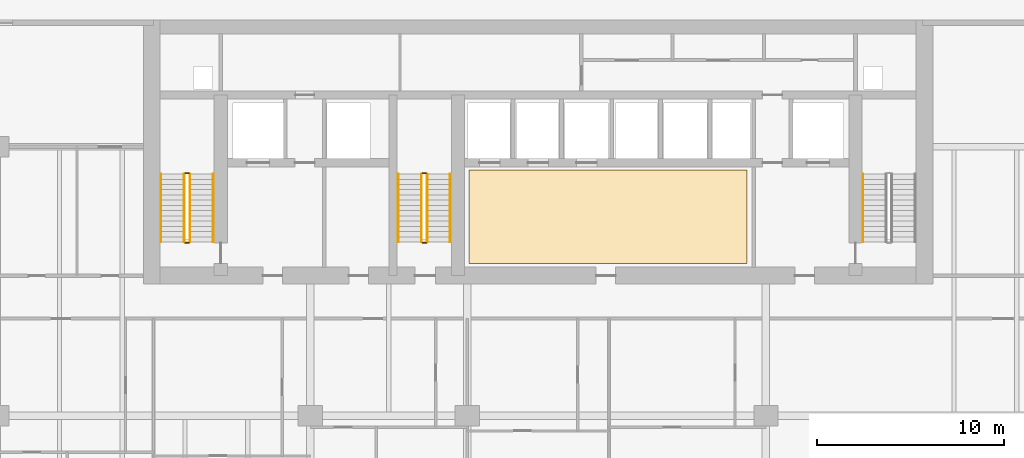
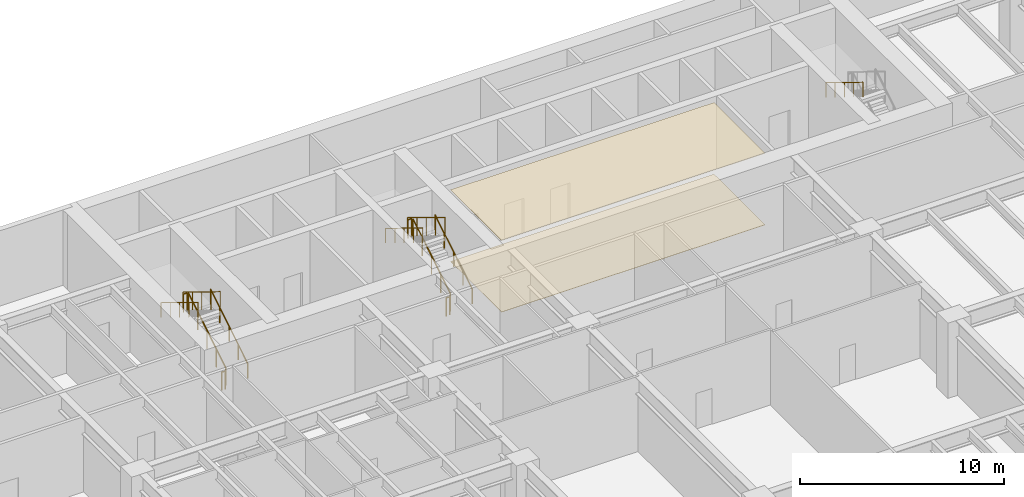
# One storey, part 13 of 14: 13 railings, 2 coverings.
"""IFC4 building model written with IfcOpenShell, lengths in metres."""

from ifc_helpers import new_model, si_unit, direction, frame, origin, origin_2d, place, context, subcontext, project, spatial, polyline, circle, outline, extrude, material, layer, layer_set, type_object, element, save


model = new_model("IFC4")

# Units and contexts
model_context = context("Model", 3, precision=1e-05, world=origin(), true_north=direction((0.0, 1.0)))
body_context = subcontext(model_context, "Body", "Model", "MODEL_VIEW")
ifc_project = project(units=[si_unit("LENGTHUNIT", "METRE"), si_unit("AREAUNIT", "SQUARE_METRE"), si_unit("VOLUMEUNIT", "CUBIC_METRE"), si_unit("PLANEANGLEUNIT", "RADIAN"), si_unit("MASSUNIT", "GRAM", prefix="KILO")], contexts=[model_context])

# Site, building, storey
site_placement = place(None, origin())
site = spatial("IfcSite", under=ifc_project, at=site_placement, CompositionType="ELEMENT")
building_placement = place(site_placement, origin())
building = spatial("IfcBuilding", under=site, at=building_placement, Name="Caelmar Bay Residences", CompositionType="ELEMENT")
storey_placement = place(building_placement, frame((0.0, 0.0, 15.0)))
storey = spatial("IfcBuildingStorey", under=building, at=storey_placement, Name="L03", CompositionType="ELEMENT", Elevation=15.0)

# Coverings
ifc_material_1 = material(Name="Perforated acoustic gypsum-mineral ceiling tile 20 mm")
ifc_layer_1 = layer(ifc_material_1, 0.02001953125)
ifc_layer_set_1 = layer_set([ifc_layer_1], Name="Perforated acoustic gypsum-mineral ceiling tile 20 mm")
covering_type_1 = type_object("IfcCoveringType", Name="COV-CEIL-20", PredefinedType="CEILING", material=ifc_layer_set_1)
covering_1_placement = place(storey_placement, frame((0.0, 0.0, 4.280029296875)))
element("IfcCovering", 1, at=covering_1_placement, inside=storey, type_object=covering_type_1, Name="L03 Lift Lobby Acoustic Ceiling", PredefinedType="CEILING", context=body_context, shape_type="SweptSolid", body=[
    extrude(outline(polyline([(35.199951171875, 37.550048828125), (50.10009765625, 37.550048828125), (50.10009765625, 42.550048828125), (35.199951171875, 42.550048828125), (35.199951171875, 37.550048828125)])), origin(), (0.0, 0.0, 1.0), 0.02001953125),
])
ifc_material_2 = material(Name="Honed terrazzo and engineered white-oak flooring 20 mm")
ifc_layer_2 = layer(ifc_material_2, 0.02001953125)
ifc_layer_set_2 = layer_set([ifc_layer_2], Name="Honed terrazzo and engineered white-oak flooring 20 mm")
covering_type_2 = type_object("IfcCoveringType", Name="COV-FLR-20", PredefinedType="FLOORING", material=ifc_layer_set_2)
covering_2_placement = place(storey_placement, origin())
element("IfcCovering", 2, at=covering_2_placement, inside=storey, type_object=covering_type_2, Name="L03 Lift Lobby Terrazzo Flooring", PredefinedType="FLOORING", context=body_context, shape_type="SweptSolid", body=[
    extrude(outline(polyline([(35.199951171875, 37.550048828125), (50.10009765625, 37.550048828125), (50.10009765625, 42.550048828125), (35.199951171875, 42.550048828125), (35.199951171875, 37.550048828125)])), origin(), (0.0, 0.0, 1.0), 0.02001953125),
])

# Railings
ifc_material_3 = material(Name="Painted galvanized steel stair guard 1100 mm", Category="steel")
railing_type_1 = type_object("IfcRailingType", Name="RL-GRD-1100", PredefinedType="GUARDRAIL", material=ifc_material_3)
railing_1_placement = place(storey_placement, frame((20.25, 38.699951171875, 0.17138671875)))
element("IfcRailing", 3, at=railing_1_placement, inside=storey, type_object=railing_type_1, Name="L03 ST1 stair guard 1", PredefinedType="GUARDRAIL", context=body_context, shape_type="SweptSolid", body=[
    extrude(circle(Radius=0.02392578125, at=origin_2d()), frame((0.0, 0.0, 1.076171875), z_axis=(0.0, 0.852865859571, 0.52213008492), x_axis=(-1.0, 0.0, 0.0)), (0.0, 0.0, 1.0), 4.26806640625),
    extrude(circle(Radius=0.02099609375, at=origin_2d()), origin(), (0.0, 0.0, 1.0), 1.052001953125),
    extrude(circle(Radius=0.02099609375, at=origin_2d()), frame((0.0, 0.91015625, 0.55712890625)), (0.0, 0.0, 1.0), 1.052001953125),
    extrude(circle(Radius=0.02099609375, at=origin_2d()), frame((0.0, 1.820068359375, 1.1142578125)), (0.0, 0.0, 1.0), 1.052001953125),
    extrude(circle(Radius=0.02099609375, at=origin_2d()), frame((0.0, 2.72998046875, 1.67138671875)), (0.0, 0.0, 1.0), 1.052001953125),
    extrude(circle(Radius=0.02099609375, at=origin_2d()), frame((0.0, 3.64013671875, 2.228515625)), (0.0, 0.0, 1.0), 1.052001953125),
])
railing_2_placement = place(storey_placement, frame((20.199951171875, 42.389892578125, 2.39990234375)))
element("IfcRailing", 4, at=railing_2_placement, inside=storey, type_object=railing_type_1, Name="L03 ST1 stair guard 2", PredefinedType="GUARDRAIL", context=body_context, shape_type="SweptSolid", body=[
    extrude(circle(Radius=0.02392578125, at=origin_2d()), frame((0.0, 0.0, 1.076171875), z_axis=(-1.0, 0.0, 0.0), x_axis=(0.0, -1.0, 0.0)), (0.0, 0.0, 1.0), 0.199951171875),
    extrude(circle(Radius=0.02099609375, at=origin_2d()), origin(), (0.0, 0.0, 1.0), 1.052001953125),
    extrude(circle(Radius=0.02099609375, at=origin_2d()), frame((-0.199951171875, 0.0, 0.0)), (0.0, 0.0, 1.0), 1.052001953125),
])
railing_3_placement = place(storey_placement, frame((19.949951171875, 42.340087890625, 2.571533203125)))
element("IfcRailing", 5, at=railing_3_placement, inside=storey, type_object=railing_type_1, Name="L03 ST1 stair guard 3", PredefinedType="GUARDRAIL", context=body_context, shape_type="SweptSolid", body=[
    extrude(circle(Radius=0.02392578125, at=origin_2d()), frame((0.0, 0.0, 1.076171875), z_axis=(0.0, -0.852865859571, 0.52213008492), x_axis=(1.0, 0.0, 0.0)), (0.0, 0.0, 1.0), 4.26806640625),
    extrude(circle(Radius=0.02099609375, at=origin_2d()), origin(), (0.0, 0.0, 1.0), 1.052001953125),
    extrude(circle(Radius=0.02099609375, at=origin_2d()), frame((0.0, -0.91015625, 0.55712890625)), (0.0, 0.0, 1.0), 1.052001953125),
    extrude(circle(Radius=0.02099609375, at=origin_2d()), frame((0.0, -1.820068359375, 1.1142578125)), (0.0, 0.0, 1.0), 1.052001953125),
    extrude(circle(Radius=0.02099609375, at=origin_2d()), frame((0.0, -2.72998046875, 1.67138671875)), (0.0, 0.0, 1.0), 1.052001953125),
    extrude(circle(Radius=0.02099609375, at=origin_2d()), frame((0.0, -3.64013671875, 2.228515625)), (0.0, 0.0, 1.0), 1.052001953125),
])
railing_4_placement = place(storey_placement, frame((20.199951171875, 38.64990234375, 0.0)))
element("IfcRailing", 6, at=railing_4_placement, inside=storey, type_object=railing_type_1, Name="L03 ST1 stair guard 4", PredefinedType="GUARDRAIL", context=body_context, shape_type="SweptSolid", body=[
    extrude(circle(Radius=0.02392578125, at=origin_2d()), frame((0.0, 0.0, 1.076171875), z_axis=(-1.0, 0.0, 0.0), x_axis=(0.0, -1.0, 0.0)), (0.0, 0.0, 1.0), 0.199951171875),
    extrude(circle(Radius=0.02099609375, at=origin_2d()), origin(), (0.0, 0.0, 1.0), 1.052001953125),
    extrude(circle(Radius=0.02099609375, at=origin_2d()), frame((-0.199951171875, 0.0, 0.0)), (0.0, 0.0, 1.0), 1.052001953125),
])
railing_5_placement = place(storey_placement, frame((32.949951171875, 38.699951171875, 0.17138671875)))
element("IfcRailing", 7, at=railing_5_placement, inside=storey, type_object=railing_type_1, Name="L03 ST3 stair guard 1", PredefinedType="GUARDRAIL", context=body_context, shape_type="SweptSolid", body=[
    extrude(circle(Radius=0.02392578125, at=origin_2d()), frame((0.0, 0.0, 1.076171875), z_axis=(0.0, 0.852865859571, 0.52213008492), x_axis=(-1.0, 0.0, 0.0)), (0.0, 0.0, 1.0), 4.26806640625),
    extrude(circle(Radius=0.02099609375, at=origin_2d()), origin(), (0.0, 0.0, 1.0), 1.052001953125),
    extrude(circle(Radius=0.02099609375, at=origin_2d()), frame((0.0, 0.91015625, 0.55712890625)), (0.0, 0.0, 1.0), 1.052001953125),
    extrude(circle(Radius=0.02099609375, at=origin_2d()), frame((0.0, 1.820068359375, 1.1142578125)), (0.0, 0.0, 1.0), 1.052001953125),
    extrude(circle(Radius=0.02099609375, at=origin_2d()), frame((0.0, 2.72998046875, 1.67138671875)), (0.0, 0.0, 1.0), 1.052001953125),
    extrude(circle(Radius=0.02099609375, at=origin_2d()), frame((0.0, 3.64013671875, 2.228515625)), (0.0, 0.0, 1.0), 1.052001953125),
])
railing_6_placement = place(storey_placement, frame((32.89990234375, 42.389892578125, 2.39990234375)))
element("IfcRailing", 8, at=railing_6_placement, inside=storey, type_object=railing_type_1, Name="L03 ST3 stair guard 2", PredefinedType="GUARDRAIL", context=body_context, shape_type="SweptSolid", body=[
    extrude(circle(Radius=0.02392578125, at=origin_2d()), frame((0.0, 0.0, 1.076171875), z_axis=(-1.0, 0.0, 0.0), x_axis=(0.0, -1.0, 0.0)), (0.0, 0.0, 1.0), 0.199951171875),
    extrude(circle(Radius=0.02099609375, at=origin_2d()), origin(), (0.0, 0.0, 1.0), 1.052001953125),
    extrude(circle(Radius=0.02099609375, at=origin_2d()), frame((-0.199951171875, 0.0, 0.0)), (0.0, 0.0, 1.0), 1.052001953125),
])
railing_7_placement = place(storey_placement, frame((32.64990234375, 42.340087890625, 2.571533203125)))
element("IfcRailing", 9, at=railing_7_placement, inside=storey, type_object=railing_type_1, Name="L03 ST3 stair guard 3", PredefinedType="GUARDRAIL", context=body_context, shape_type="SweptSolid", body=[
    extrude(circle(Radius=0.02392578125, at=origin_2d()), frame((0.0, 0.0, 1.076171875), z_axis=(0.0, -0.852865859571, 0.52213008492), x_axis=(1.0, 0.0, 0.0)), (0.0, 0.0, 1.0), 4.26806640625),
    extrude(circle(Radius=0.02099609375, at=origin_2d()), origin(), (0.0, 0.0, 1.0), 1.052001953125),
    extrude(circle(Radius=0.02099609375, at=origin_2d()), frame((0.0, -0.91015625, 0.55712890625)), (0.0, 0.0, 1.0), 1.052001953125),
    extrude(circle(Radius=0.02099609375, at=origin_2d()), frame((0.0, -1.820068359375, 1.1142578125)), (0.0, 0.0, 1.0), 1.052001953125),
    extrude(circle(Radius=0.02099609375, at=origin_2d()), frame((0.0, -2.72998046875, 1.67138671875)), (0.0, 0.0, 1.0), 1.052001953125),
    extrude(circle(Radius=0.02099609375, at=origin_2d()), frame((0.0, -3.64013671875, 2.228515625)), (0.0, 0.0, 1.0), 1.052001953125),
])
railing_8_placement = place(storey_placement, frame((32.89990234375, 38.64990234375, 0.0)))
element("IfcRailing", 10, at=railing_8_placement, inside=storey, type_object=railing_type_1, Name="L03 ST3 stair guard 4", PredefinedType="GUARDRAIL", context=body_context, shape_type="SweptSolid", body=[
    extrude(circle(Radius=0.02392578125, at=origin_2d()), frame((0.0, 0.0, 1.076171875), z_axis=(-1.0, 0.0, 0.0), x_axis=(0.0, -1.0, 0.0)), (0.0, 0.0, 1.0), 0.199951171875),
    extrude(circle(Radius=0.02099609375, at=origin_2d()), origin(), (0.0, 0.0, 1.0), 1.052001953125),
    extrude(circle(Radius=0.02099609375, at=origin_2d()), frame((-0.199951171875, 0.0, 0.0)), (0.0, 0.0, 1.0), 1.052001953125),
])
ifc_material_4 = material(Name="Brushed bronze stainless-steel tubular handrail 900 mm", Category="steel")
railing_type_2 = type_object("IfcRailingType", Name="RL-HND-900", PredefinedType="HANDRAIL", material=ifc_material_4)
railing_9_placement = place(storey_placement, frame((21.5, 38.699951171875, 0.17138671875)))
element("IfcRailing", 11, at=railing_9_placement, inside=storey, type_object=railing_type_2, Name="L03 ST1 stair handrail 1", PredefinedType="HANDRAIL", context=body_context, shape_type="SweptSolid", body=[
    extrude(circle(Radius=0.02392578125, at=origin_2d()), frame((0.0, 0.0, 0.8759765625), z_axis=(0.0, 0.852865859571, 0.52213008492), x_axis=(-1.0, 0.0, 0.0)), (0.0, 0.0, 1.0), 4.26806640625),
    extrude(circle(Radius=0.02099609375, at=origin_2d()), origin(), (0.0, 0.0, 1.0), 0.851806640625),
    extrude(circle(Radius=0.02099609375, at=origin_2d()), frame((0.0, 0.91015625, 0.55712890625)), (0.0, 0.0, 1.0), 0.851806640625),
    extrude(circle(Radius=0.02099609375, at=origin_2d()), frame((0.0, 1.820068359375, 1.1142578125)), (0.0, 0.0, 1.0), 0.851806640625),
    extrude(circle(Radius=0.02099609375, at=origin_2d()), frame((0.0, 2.72998046875, 1.67138671875)), (0.0, 0.0, 1.0), 0.851806640625),
    extrude(circle(Radius=0.02099609375, at=origin_2d()), frame((0.0, 3.64013671875, 2.228515625)), (0.0, 0.0, 1.0), 0.851806640625),
])
for number, where, name in (
    (12, (18.699951171875, 42.340087890625, 2.571533203125), "L03 ST1 stair handrail 2"),
    (13, (56.300048828125, 42.340087890625, 2.571533203125), "L03 ST2 stair handrail 2"),
):
    element("IfcRailing", number, at=place(storey_placement, frame(where)), inside=storey, type_object=railing_type_2, Name=name, PredefinedType="HANDRAIL", context=body_context, shape_type="SweptSolid", body=[
        extrude(circle(Radius=0.02392578125, at=origin_2d()), frame((0.0, 0.0, 0.8759765625), z_axis=(0.0, -0.852865859571, 0.52213008492), x_axis=(1.0, 0.0, 0.0)), (0.0, 0.0, 1.0), 4.26806640625),
        extrude(circle(Radius=0.02099609375, at=origin_2d()), origin(), (0.0, 0.0, 1.0), 0.851806640625),
        extrude(circle(Radius=0.02099609375, at=origin_2d()), frame((0.0, -0.91015625, 0.55712890625)), (0.0, 0.0, 1.0), 0.851806640625),
        extrude(circle(Radius=0.02099609375, at=origin_2d()), frame((0.0, -1.820068359375, 1.1142578125)), (0.0, 0.0, 1.0), 0.851806640625),
        extrude(circle(Radius=0.02099609375, at=origin_2d()), frame((0.0, -2.72998046875, 1.67138671875)), (0.0, 0.0, 1.0), 0.851806640625),
        extrude(circle(Radius=0.02099609375, at=origin_2d()), frame((0.0, -3.64013671875, 2.228515625)), (0.0, 0.0, 1.0), 0.851806640625),
    ])
railing_10_placement = place(storey_placement, frame((34.199951171875, 38.699951171875, 0.17138671875)))
element("IfcRailing", 14, at=railing_10_placement, inside=storey, type_object=railing_type_2, Name="L03 ST3 stair handrail 1", PredefinedType="HANDRAIL", context=body_context, shape_type="SweptSolid", body=[
    extrude(circle(Radius=0.02392578125, at=origin_2d()), frame((0.0, 0.0, 0.8759765625), z_axis=(0.0, 0.852865859571, 0.52213008492), x_axis=(-1.0, 0.0, 0.0)), (0.0, 0.0, 1.0), 4.26806640625),
    extrude(circle(Radius=0.02099609375, at=origin_2d()), origin(), (0.0, 0.0, 1.0), 0.851806640625),
    extrude(circle(Radius=0.02099609375, at=origin_2d()), frame((0.0, 0.91015625, 0.55712890625)), (0.0, 0.0, 1.0), 0.851806640625),
    extrude(circle(Radius=0.02099609375, at=origin_2d()), frame((0.0, 1.820068359375, 1.1142578125)), (0.0, 0.0, 1.0), 0.851806640625),
    extrude(circle(Radius=0.02099609375, at=origin_2d()), frame((0.0, 2.72998046875, 1.67138671875)), (0.0, 0.0, 1.0), 0.851806640625),
    extrude(circle(Radius=0.02099609375, at=origin_2d()), frame((0.0, 3.64013671875, 2.228515625)), (0.0, 0.0, 1.0), 0.851806640625),
])
railing_11_placement = place(storey_placement, frame((31.39990234375, 42.340087890625, 2.571533203125)))
element("IfcRailing", 15, at=railing_11_placement, inside=storey, type_object=railing_type_2, Name="L03 ST3 stair handrail 2", PredefinedType="HANDRAIL", context=body_context, shape_type="SweptSolid", body=[
    extrude(circle(Radius=0.02392578125, at=origin_2d()), frame((0.0, 0.0, 0.8759765625), z_axis=(0.0, -0.852865859571, 0.52213008492), x_axis=(1.0, 0.0, 0.0)), (0.0, 0.0, 1.0), 4.26806640625),
    extrude(circle(Radius=0.02099609375, at=origin_2d()), origin(), (0.0, 0.0, 1.0), 0.851806640625),
    extrude(circle(Radius=0.02099609375, at=origin_2d()), frame((0.0, -0.91015625, 0.55712890625)), (0.0, 0.0, 1.0), 0.851806640625),
    extrude(circle(Radius=0.02099609375, at=origin_2d()), frame((0.0, -1.820068359375, 1.1142578125)), (0.0, 0.0, 1.0), 0.851806640625),
    extrude(circle(Radius=0.02099609375, at=origin_2d()), frame((0.0, -2.72998046875, 1.67138671875)), (0.0, 0.0, 1.0), 0.851806640625),
    extrude(circle(Radius=0.02099609375, at=origin_2d()), frame((0.0, -3.64013671875, 2.228515625)), (0.0, 0.0, 1.0), 0.851806640625),
])

save(model, "model.ifc")
